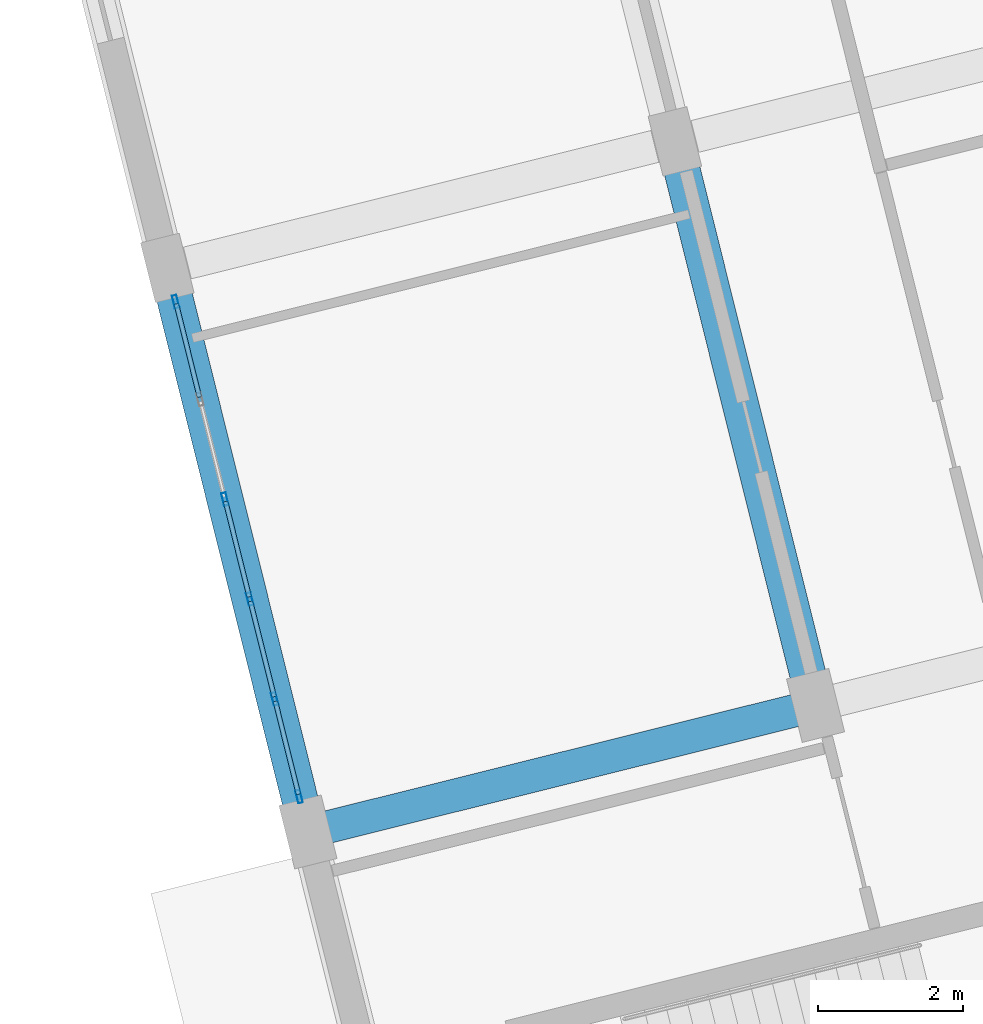
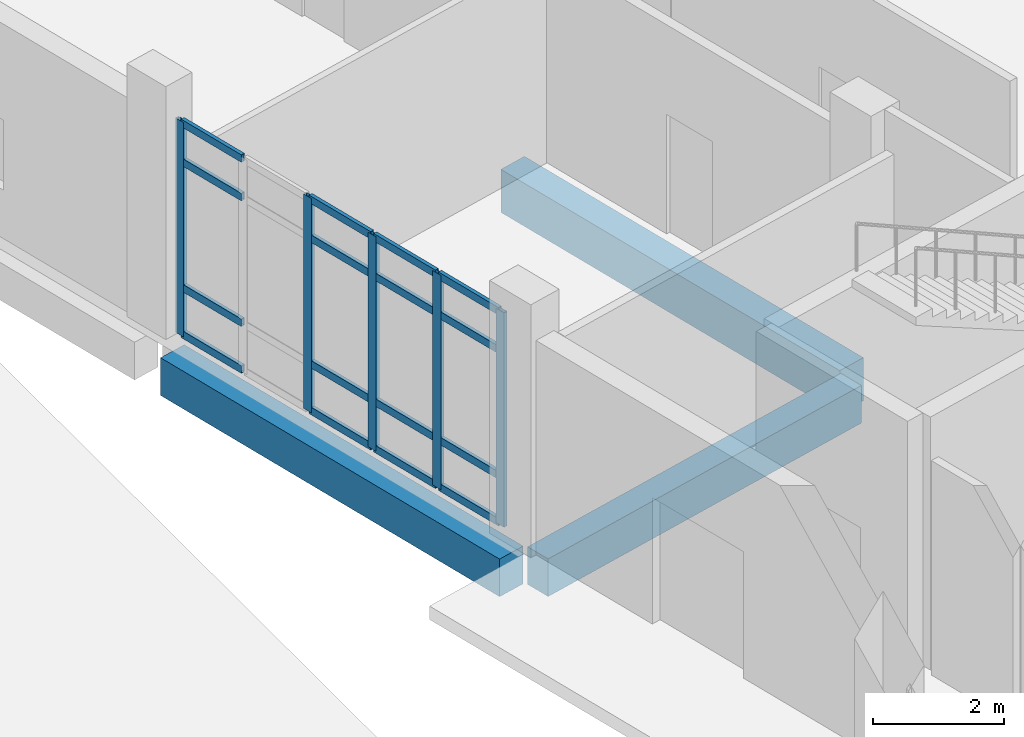
# One storey, part 51 of 173: 21 members, 3 beams, 1 element without a shape of its own.
"""IFC4 building model written with IfcOpenShell, lengths in metres."""

from ifc_helpers import new_model, si_unit, direction, frame, origin, origin_2d, place, context, subcontext, project, spatial, rectangle, hollow_rectangle, extrude, material, layer, layer_set, material_profile, profile_set, type_object, element, aggregate, save


model = new_model("IFC4")

# Units and contexts
model_context = context("Model", 3, precision=1e-05, world=origin(), true_north=direction((0.0, 1.0)))
body_context = subcontext(model_context, "Body", "Model", "MODEL_VIEW")
ifc_project = project(units=[si_unit("LENGTHUNIT", "METRE"), si_unit("AREAUNIT", "SQUARE_METRE"), si_unit("VOLUMEUNIT", "CUBIC_METRE"), si_unit("PLANEANGLEUNIT", "RADIAN"), si_unit("MASSUNIT", "GRAM", prefix="KILO")], contexts=[model_context])

# Site, building, storey
site_placement = place(None, origin())
site = spatial("IfcSite", under=ifc_project, at=site_placement, CompositionType="ELEMENT")
building_placement = place(site_placement, origin())
building = spatial("IfcBuilding", under=site, at=building_placement, Name="Mawjan Specialist Oncology Clinic", CompositionType="ELEMENT")
storey_placement = place(building_placement, origin())
storey = spatial("IfcBuildingStorey", under=building, at=storey_placement, Name="L00", CompositionType="ELEMENT", Elevation=0.0)

# Beams
ifc_material_1 = material(Name="Concrete C40/50", Category="concrete")
ifc_material_profile_1 = material_profile(ifc_material_1, rectangle(XDim=0.449951171875, YDim=0.699951171875, at=origin_2d()), Name="RC BM 450x700", Category="concrete")
ifc_profile_set_1 = profile_set([ifc_material_profile_1], Name="Concrete C40/50")
beam_type_1 = type_object("IfcBeamType", Name="BM-450x700", PredefinedType="BEAM", material=ifc_profile_set_1)
beam_1_placement = place(storey_placement, frame((120.470458984375, 24.156005859375, -0.77001953125), z_axis=(0.970293935913, 0.241929076241, 0.0), x_axis=(-0.241929076241, 0.970293935913, 0.0)))
element("IfcBeam", 1, at=beam_1_placement, inside=storey, type_object=beam_type_1, Name="L00 Collector Beam BM-L00-0209", PredefinedType="BEAM", context=body_context, shape_type="SweptSolid", body=[
    extrude(rectangle(XDim=0.449951171875, YDim=0.699951171875, at=origin_2d()), origin(), (0.0, 0.0, 1.0), 6.630126953125),
])
ifc_material_2 = material(Name="Concrete C45/55", Category="concrete")
ifc_material_profile_2 = material_profile(ifc_material_2, rectangle(XDim=0.5, YDim=0.800048828125, at=origin_2d()), Name="RC BM 500x800", Category="concrete")
ifc_profile_set_2 = profile_set([ifc_material_profile_2], Name="Concrete C45/55")
beam_type_2 = type_object("IfcBeamType", Name="BM-500x800", PredefinedType="BEAM", material=ifc_profile_set_2)
beam_2_placement = place(storey_placement, frame((127.111083984375, 26.10546875, -0.820068359375), z_axis=(-0.241940252994, 0.970291149079, 0.0), x_axis=(-0.970291149079, -0.241940252994, 0.0)))
element("IfcBeam", 2, at=beam_2_placement, inside=storey, type_object=beam_type_2, Name="L00 Collector Beam BM-L00-0219", PredefinedType="BEAM", context=body_context, shape_type="SweptSolid", body=[
    extrude(rectangle(XDim=0.5, YDim=0.800048828125, at=origin_2d()), origin(), (0.0, 0.0, 1.0), 7.429931640625),
])

# Curtain wall, members
ifc_material_3 = material(Name="Unitised spectrally selective aluminium curtain wall", Category="aluminium")
ifc_layer = layer(ifc_material_3, 0.179931640625, Name="Unitised spectrally selective aluminium curtain wall", Category="aluminium")
ifc_layer_set = layer_set([ifc_layer], Name="Unitised spectrally selective aluminium curtain wall")
curtain_wall_type = type_object("IfcCurtainWallType", Name="CW-39", PredefinedType="NOTDEFINED", material=ifc_layer_set)
curtain_wall_placement = place(storey_placement, origin())
curtain_wall = element("IfcCurtainWall", 3, at=curtain_wall_placement, inside=storey, type_object=curtain_wall_type, Name="L00 Unitised Curtain Wall CW-L00-080", PredefinedType="NOTDEFINED")
ifc_material_4 = material(Name="Thermally broken aluminium 6063-T6", Category="aluminium")
ifc_material_profile_3 = material_profile(ifc_material_4, hollow_rectangle(XDim=0.06494140625, YDim=0.179931640625, WallThickness=0.00390625, at=origin_2d()), Name="ALU MULLION 180x65x4", Category="aluminium")
ifc_profile_set_3 = profile_set([ifc_material_profile_3], Name="Thermally broken aluminium 6063-T6")
member_type_1 = type_object("IfcMemberType", Name="CW-M180", PredefinedType="MULLION", material=ifc_profile_set_3)
member_1_placement = place(storey_placement, frame((120.072265625, 24.57470703125, 0.0), z_axis=(0.0, 0.0, 1.0), x_axis=(-0.970295687333, -0.24192205179, 0.0)))
member_1 = element("IfcMember", 4, at=member_1_placement, type_object=member_type_1, Name="CW-39 mullion 1", PredefinedType="MULLION", context=body_context, shape_type="SweptSolid", body=[
    extrude(hollow_rectangle(XDim=0.06494140625, YDim=0.179931640625, WallThickness=0.00390625, at=origin_2d()), origin(), (0.0, 0.0, 1.0), 3.985107421875),
])
member_2_placement = place(storey_placement, frame((119.7373046875, 25.91796875, 0.0), z_axis=(0.0, 0.0, 1.0), x_axis=(-0.970295687333, -0.24192205179, 0.0)))
member_2 = element("IfcMember", 5, at=member_2_placement, type_object=member_type_1, Name="CW-39 mullion 2", PredefinedType="MULLION", context=body_context, shape_type="SweptSolid", body=[
    extrude(hollow_rectangle(XDim=0.06494140625, YDim=0.179931640625, WallThickness=0.00390625, at=origin_2d()), origin(), (0.0, 0.0, 1.0), 3.985107421875),
])
member_3_placement = place(storey_placement, frame((119.39453125, 27.29296875, 0.0), z_axis=(0.0, 0.0, 1.0), x_axis=(-0.970295687333, -0.24192205179, 0.0)))
member_3 = element("IfcMember", 6, at=member_3_placement, type_object=member_type_1, Name="CW-39 mullion 3", PredefinedType="MULLION", context=body_context, shape_type="SweptSolid", body=[
    extrude(hollow_rectangle(XDim=0.06494140625, YDim=0.179931640625, WallThickness=0.00390625, at=origin_2d()), origin(), (0.0, 0.0, 1.0), 3.985107421875),
])
member_4_placement = place(storey_placement, frame((119.0517578125, 28.66796875, 0.0), z_axis=(0.0, 0.0, 1.0), x_axis=(-0.970295687333, -0.24192205179, 0.0)))
member_4 = element("IfcMember", 7, at=member_4_placement, type_object=member_type_1, Name="CW-39 mullion 4", PredefinedType="MULLION", context=body_context, shape_type="SweptSolid", body=[
    extrude(hollow_rectangle(XDim=0.06494140625, YDim=0.179931640625, WallThickness=0.00390625, at=origin_2d()), origin(), (0.0, 0.0, 1.0), 3.985107421875),
])
member_5_placement = place(storey_placement, frame((118.3740234375, 31.38623046875, 0.0), z_axis=(0.0, 0.0, 1.0), x_axis=(-0.970295687333, -0.24192205179, 0.0)))
member_5 = element("IfcMember", 8, at=member_5_placement, type_object=member_type_1, Name="CW-39 mullion 6", PredefinedType="MULLION", context=body_context, shape_type="SweptSolid", body=[
    extrude(hollow_rectangle(XDim=0.06494140625, YDim=0.179931640625, WallThickness=0.00390625, at=origin_2d()), origin(), (0.0, 0.0, 1.0), 3.985107421875),
])
ifc_material_5 = material(Name="Thermally broken aluminium 6063-T6", Category="aluminium")
ifc_material_profile_4 = material_profile(ifc_material_5, hollow_rectangle(XDim=0.06494140625, YDim=0.139892578125, WallThickness=0.00390625, at=origin_2d()), Name="ALU TRANSOM 140x65x4", Category="aluminium")
ifc_profile_set_4 = profile_set([ifc_material_profile_4], Name="Thermally broken aluminium 6063-T6")
member_type_2 = type_object("IfcMemberType", Name="CW-T140", PredefinedType="USERDEFINED", material=ifc_profile_set_4)
member_6_placement = place(storey_placement, frame((120.064453125, 24.606201171875, 0.032470703125), z_axis=(-0.242013165337, 0.970272965615, 0.0), x_axis=(-0.970272965615, -0.242013165337, 0.0)))
member_6 = element("IfcMember", 9, at=member_6_placement, type_object=member_type_2, Name="CW-39 transom 1.1", ObjectType="TRANSOM", PredefinedType="USERDEFINED", context=body_context, shape_type="SweptSolid", body=[
    extrude(hollow_rectangle(XDim=0.06494140625, YDim=0.139892578125, WallThickness=0.00390625, at=origin_2d()), origin(), (0.0, 0.0, 1.0), 1.319580078125),
])
member_7_placement = place(storey_placement, frame((120.064453125, 24.606201171875, 0.89990234375), z_axis=(-0.242013165337, 0.970272965615, 0.0), x_axis=(-0.970272965615, -0.242013165337, 0.0)))
member_7 = element("IfcMember", 10, at=member_7_placement, type_object=member_type_2, Name="CW-39 transom 1.2", ObjectType="TRANSOM", PredefinedType="USERDEFINED", context=body_context, shape_type="SweptSolid", body=[
    extrude(hollow_rectangle(XDim=0.06494140625, YDim=0.139892578125, WallThickness=0.00390625, at=origin_2d()), origin(), (0.0, 0.0, 1.0), 1.319580078125),
])
member_8_placement = place(storey_placement, frame((120.064453125, 24.606201171875, 3.235107421875), z_axis=(-0.242013165337, 0.970272965615, 0.0), x_axis=(-0.970272965615, -0.242013165337, 0.0)))
member_8 = element("IfcMember", 11, at=member_8_placement, type_object=member_type_2, Name="CW-39 transom 1.3", ObjectType="TRANSOM", PredefinedType="USERDEFINED", context=body_context, shape_type="SweptSolid", body=[
    extrude(hollow_rectangle(XDim=0.06494140625, YDim=0.139892578125, WallThickness=0.00390625, at=origin_2d()), origin(), (0.0, 0.0, 1.0), 1.319580078125),
])
member_9_placement = place(storey_placement, frame((120.064453125, 24.606201171875, 3.952392578125), z_axis=(-0.242013165337, 0.970272965615, 0.0), x_axis=(-0.970272965615, -0.242013165337, 0.0)))
member_9 = element("IfcMember", 12, at=member_9_placement, type_object=member_type_2, Name="CW-39 transom 1.4", ObjectType="TRANSOM", PredefinedType="USERDEFINED", context=body_context, shape_type="SweptSolid", body=[
    extrude(hollow_rectangle(XDim=0.06494140625, YDim=0.139892578125, WallThickness=0.00390625, at=origin_2d()), origin(), (0.0, 0.0, 1.0), 1.319580078125),
])
member_10_placement = place(storey_placement, frame((119.7294921875, 25.949462890625, 0.032470703125), z_axis=(-0.241940817133, 0.970291008412, 0.0), x_axis=(-0.970291008412, -0.241940817133, 0.0)))
member_10 = element("IfcMember", 13, at=member_10_placement, type_object=member_type_2, Name="CW-39 transom 2.1", ObjectType="TRANSOM", PredefinedType="USERDEFINED", context=body_context, shape_type="SweptSolid", body=[
    extrude(hollow_rectangle(XDim=0.06494140625, YDim=0.139892578125, WallThickness=0.00390625, at=origin_2d()), origin(), (0.0, 0.0, 1.0), 1.352294921875),
])
member_11_placement = place(storey_placement, frame((119.7294921875, 25.949462890625, 0.89990234375), z_axis=(-0.241940817133, 0.970291008412, 0.0), x_axis=(-0.970291008412, -0.241940817133, 0.0)))
member_11 = element("IfcMember", 14, at=member_11_placement, type_object=member_type_2, Name="CW-39 transom 2.2", ObjectType="TRANSOM", PredefinedType="USERDEFINED", context=body_context, shape_type="SweptSolid", body=[
    extrude(hollow_rectangle(XDim=0.06494140625, YDim=0.139892578125, WallThickness=0.00390625, at=origin_2d()), origin(), (0.0, 0.0, 1.0), 1.352294921875),
])
member_12_placement = place(storey_placement, frame((119.7294921875, 25.949462890625, 3.235107421875), z_axis=(-0.241940817133, 0.970291008412, 0.0), x_axis=(-0.970291008412, -0.241940817133, 0.0)))
member_12 = element("IfcMember", 15, at=member_12_placement, type_object=member_type_2, Name="CW-39 transom 2.3", ObjectType="TRANSOM", PredefinedType="USERDEFINED", context=body_context, shape_type="SweptSolid", body=[
    extrude(hollow_rectangle(XDim=0.06494140625, YDim=0.139892578125, WallThickness=0.00390625, at=origin_2d()), origin(), (0.0, 0.0, 1.0), 1.352294921875),
])
member_13_placement = place(storey_placement, frame((119.7294921875, 25.949462890625, 3.952392578125), z_axis=(-0.241940817133, 0.970291008412, 0.0), x_axis=(-0.970291008412, -0.241940817133, 0.0)))
member_13 = element("IfcMember", 16, at=member_13_placement, type_object=member_type_2, Name="CW-39 transom 2.4", ObjectType="TRANSOM", PredefinedType="USERDEFINED", context=body_context, shape_type="SweptSolid", body=[
    extrude(hollow_rectangle(XDim=0.06494140625, YDim=0.139892578125, WallThickness=0.00390625, at=origin_2d()), origin(), (0.0, 0.0, 1.0), 1.352294921875),
])
member_14_placement = place(storey_placement, frame((119.38671875, 27.324462890625, 0.032470703125), z_axis=(-0.241983209651, 0.970280436908, 0.0), x_axis=(-0.970280436908, -0.241983209651, 0.0)))
member_14 = element("IfcMember", 17, at=member_14_placement, type_object=member_type_2, Name="CW-39 transom 3.1", ObjectType="TRANSOM", PredefinedType="USERDEFINED", context=body_context, shape_type="SweptSolid", body=[
    extrude(hollow_rectangle(XDim=0.06494140625, YDim=0.139892578125, WallThickness=0.00390625, at=origin_2d()), origin(), (0.0, 0.0, 1.0), 1.35205078125),
])
member_15_placement = place(storey_placement, frame((119.38671875, 27.324462890625, 0.89990234375), z_axis=(-0.241983209651, 0.970280436908, 0.0), x_axis=(-0.970280436908, -0.241983209651, 0.0)))
member_15 = element("IfcMember", 18, at=member_15_placement, type_object=member_type_2, Name="CW-39 transom 3.2", ObjectType="TRANSOM", PredefinedType="USERDEFINED", context=body_context, shape_type="SweptSolid", body=[
    extrude(hollow_rectangle(XDim=0.06494140625, YDim=0.139892578125, WallThickness=0.00390625, at=origin_2d()), origin(), (0.0, 0.0, 1.0), 1.35205078125),
])
member_16_placement = place(storey_placement, frame((119.38671875, 27.324462890625, 3.235107421875), z_axis=(-0.241983209651, 0.970280436908, 0.0), x_axis=(-0.970280436908, -0.241983209651, 0.0)))
member_16 = element("IfcMember", 19, at=member_16_placement, type_object=member_type_2, Name="CW-39 transom 3.3", ObjectType="TRANSOM", PredefinedType="USERDEFINED", context=body_context, shape_type="SweptSolid", body=[
    extrude(hollow_rectangle(XDim=0.06494140625, YDim=0.139892578125, WallThickness=0.00390625, at=origin_2d()), origin(), (0.0, 0.0, 1.0), 1.35205078125),
])
member_17_placement = place(storey_placement, frame((119.38671875, 27.324462890625, 3.952392578125), z_axis=(-0.241983209651, 0.970280436908, 0.0), x_axis=(-0.970280436908, -0.241983209651, 0.0)))
member_17 = element("IfcMember", 20, at=member_17_placement, type_object=member_type_2, Name="CW-39 transom 3.4", ObjectType="TRANSOM", PredefinedType="USERDEFINED", context=body_context, shape_type="SweptSolid", body=[
    extrude(hollow_rectangle(XDim=0.06494140625, YDim=0.139892578125, WallThickness=0.00390625, at=origin_2d()), origin(), (0.0, 0.0, 1.0), 1.35205078125),
])
member_18_placement = place(storey_placement, frame((118.701171875, 30.07421875, 0.032470703125), z_axis=(-0.242013165337, 0.970272965615, 0.0), x_axis=(-0.970272965615, -0.242013165337, 0.0)))
member_18 = element("IfcMember", 21, at=member_18_placement, type_object=member_type_2, Name="CW-39 transom 5.1", ObjectType="TRANSOM", PredefinedType="USERDEFINED", context=body_context, shape_type="SweptSolid", body=[
    extrude(hollow_rectangle(XDim=0.06494140625, YDim=0.139892578125, WallThickness=0.00390625, at=origin_2d()), origin(), (0.0, 0.0, 1.0), 1.319580078125),
])
member_19_placement = place(storey_placement, frame((118.701171875, 30.07421875, 0.89990234375), z_axis=(-0.242013165337, 0.970272965615, 0.0), x_axis=(-0.970272965615, -0.242013165337, 0.0)))
member_19 = element("IfcMember", 22, at=member_19_placement, type_object=member_type_2, Name="CW-39 transom 5.2", ObjectType="TRANSOM", PredefinedType="USERDEFINED", context=body_context, shape_type="SweptSolid", body=[
    extrude(hollow_rectangle(XDim=0.06494140625, YDim=0.139892578125, WallThickness=0.00390625, at=origin_2d()), origin(), (0.0, 0.0, 1.0), 1.319580078125),
])
member_20_placement = place(storey_placement, frame((118.701171875, 30.07421875, 3.235107421875), z_axis=(-0.242013165337, 0.970272965615, 0.0), x_axis=(-0.970272965615, -0.242013165337, 0.0)))
member_20 = element("IfcMember", 23, at=member_20_placement, type_object=member_type_2, Name="CW-39 transom 5.3", ObjectType="TRANSOM", PredefinedType="USERDEFINED", context=body_context, shape_type="SweptSolid", body=[
    extrude(hollow_rectangle(XDim=0.06494140625, YDim=0.139892578125, WallThickness=0.00390625, at=origin_2d()), origin(), (0.0, 0.0, 1.0), 1.319580078125),
])
member_21_placement = place(storey_placement, frame((118.701171875, 30.07421875, 3.952392578125), z_axis=(-0.242013165337, 0.970272965615, 0.0), x_axis=(-0.970272965615, -0.242013165337, 0.0)))
member_21 = element("IfcMember", 24, at=member_21_placement, type_object=member_type_2, Name="CW-39 transom 5.4", ObjectType="TRANSOM", PredefinedType="USERDEFINED", context=body_context, shape_type="SweptSolid", body=[
    extrude(hollow_rectangle(XDim=0.06494140625, YDim=0.139892578125, WallThickness=0.00390625, at=origin_2d()), origin(), (0.0, 0.0, 1.0), 1.319580078125),
])
aggregate(curtain_wall, [member_1, member_2, member_3, member_4, member_5, member_6, member_7, member_8, member_9, member_10, member_11, member_12, member_13, member_14, member_15, member_16, member_17, member_18, member_19, member_20, member_21])

# Beam
ifc_material_6 = material(Name="Concrete C45/55", Category="concrete")
ifc_material_profile_5 = material_profile(ifc_material_6, rectangle(XDim=0.5, YDim=0.699951171875, at=origin_2d()), Name="RC BM 500x700", Category="concrete")
ifc_profile_set_5 = profile_set([ifc_material_profile_5], Name="Concrete C45/55")
beam_type_3 = type_object("IfcBeamType", Name="SP-500x700", PredefinedType="SPANDREL", material=ifc_profile_set_5)
beam_3_placement = place(storey_placement, frame((120.125, 24.363525390625, -0.77001953125), z_axis=(-0.241932539519, 0.970293072387, 0.0), x_axis=(-0.970293072387, -0.241932539519, 0.0)))
element("IfcBeam", 25, at=beam_3_placement, inside=storey, type_object=beam_type_3, Name="L00 Spandrel Beam BM-L00-0217", PredefinedType="SPANDREL", context=body_context, shape_type="SweptSolid", body=[
    extrude(rectangle(XDim=0.5, YDim=0.699951171875, at=origin_2d()), origin(), (0.0, 0.0, 1.0), 7.43017578125),
])

save(model, "model.ifc")
